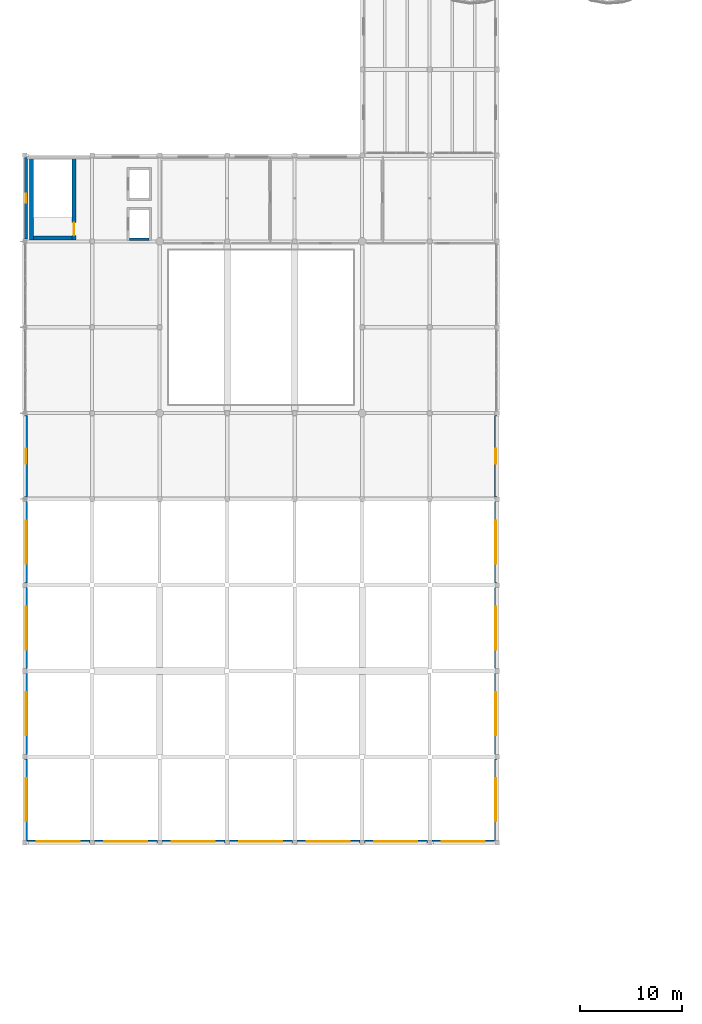
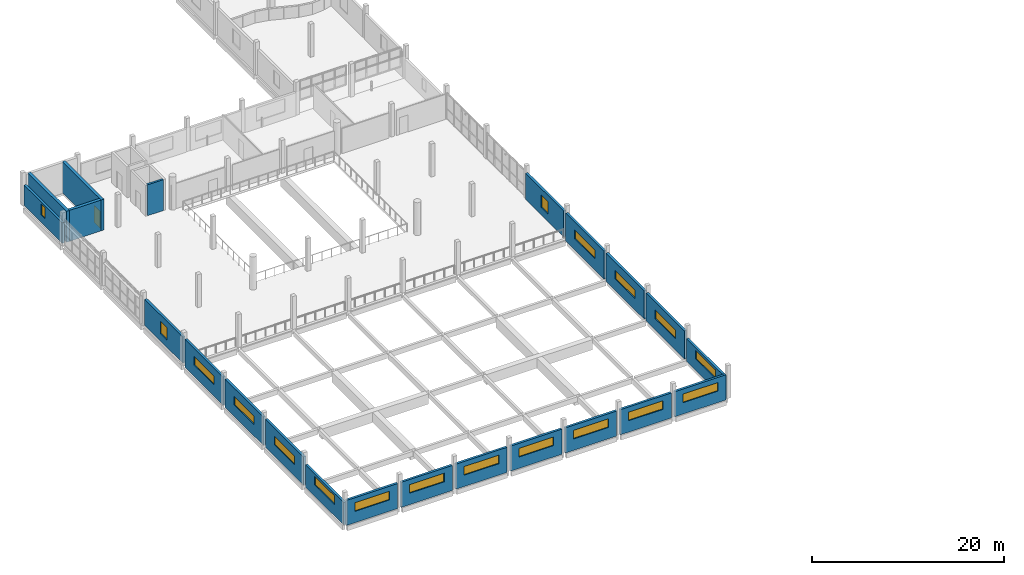
# One storey, part 47 of 74: 22 walls, 18 windows, 1 door, 19 openings.
"""IFC4 building model written with IfcOpenShell, lengths in metres."""

from ifc_helpers import new_model, si_unit, direction, frame, frame_2d, origin, place, context, subcontext, project, spatial, rectangle, extrude, material, layer, layer_set, type_object, element, fill, save


model = new_model("IFC4")

# Units and contexts
model_context = context("Model", 3, precision=1e-05, world=origin(), true_north=direction((0.0, 1.0)))
body_context = subcontext(model_context, "Body", "Model", "MODEL_VIEW")
ifc_project = project(units=[si_unit("LENGTHUNIT", "METRE"), si_unit("AREAUNIT", "SQUARE_METRE"), si_unit("VOLUMEUNIT", "CUBIC_METRE"), si_unit("PLANEANGLEUNIT", "RADIAN"), si_unit("MASSUNIT", "GRAM", prefix="KILO")], contexts=[model_context])

# Site, building, storey
site_placement = place(None, origin())
site = spatial("IfcSite", under=ifc_project, at=site_placement, CompositionType="ELEMENT")
building_placement = place(site_placement, origin())
building = spatial("IfcBuilding", under=site, at=building_placement, Name="Qaldarim Faculty of Natural and Applied Sciences", CompositionType="ELEMENT")
storey_placement = place(building_placement, frame((0.0, 0.0, 14.39990234375)))
storey = spatial("IfcBuildingStorey", under=building, at=storey_placement, Name="L03", CompositionType="ELEMENT", Elevation=14.39990234375)

# Wall
ifc_material_1 = material(Name="Concrete C50/60", Category="concrete")
ifc_layer_1 = layer(ifc_material_1, 0.360107421875)
ifc_layer_set_1 = layer_set([ifc_layer_1], Name="Concrete C50/60")
wall_type_1 = type_object("IfcWallType", Name="CoreShearWall-360", PredefinedType="SHEAR", material=ifc_layer_set_1)
wall_1_placement = place(storey_placement, frame((0.669921875, 75.739990234375, 0.0), z_axis=(0.0, 0.0, 1.0), x_axis=(0.0, 1.0, 0.0)))
element("IfcWall", 1, at=wall_1_placement, inside=storey, type_object=wall_type_1, Name="Core stair ST-D2 west shear wall L03", PredefinedType="SHEAR", context=body_context, shape_type="SweptSolid", body=[
    extrude(rectangle(XDim=8.090087890625, YDim=0.360107421875, at=frame_2d((4.044921875, 0.0))), origin(), (0.0, 0.0, 1.0), 3.940185546875),
])

# Wall, opening, door
wall_2_placement = place(storey_placement, frame((4.830078125, 75.739990234375, 0.0), z_axis=(0.0, 0.0, 1.0), x_axis=(0.0, 1.0, 0.0)))
wall_2 = element("IfcWall", 2, at=wall_2_placement, inside=storey, type_object=wall_type_1, Name="Core stair ST-D2 east shear wall L03", PredefinedType="SHEAR", context=body_context, shape_type="SweptSolid", body=[
    extrude(rectangle(XDim=8.090087890625, YDim=0.360107421875, at=frame_2d((4.044921875, 0.0))), origin(), (0.0, 0.0, 1.0), 3.940185546875),
])
opening_1_placement = place(wall_2_placement, frame((0.449951171875, 0.0, 0.0)))
opening_1 = element("IfcOpeningElement", 3, at=opening_1_placement, cuts=wall_2, Name="Opening ID04", PredefinedType="OPENING", context=body_context, shape_type="SweptSolid", body=[
    extrude(rectangle(XDim=1.25, YDim=2.14990234375, at=frame_2d((0.625, 1.074951171875))), frame((0.0, 0.18994140625, 0.0), z_axis=(0.0, -1.0, 0.0), x_axis=(1.0, 0.0, 0.0)), (0.0, 0.0, 1.0), 0.380126953125),
])
ifc_material_2 = material(Name="Architectural stainless steel 316", Category="steel")
door_type = type_object("IfcDoorType", Name="StairEnclosureFireDoor-1250x2150", OperationType="NOTDEFINED", PredefinedType="DOOR", material=ifc_material_2)
door_placement = place(opening_1_placement, origin())
door = element("IfcDoor", 4, at=door_placement, inside=storey, type_object=door_type, Name="Protected stair ST-D2 fire door D-L03-556", OperationType="SINGLE_SWING_LEFT", OverallHeight=2.14990234375, OverallWidth=1.25, PredefinedType="DOOR", context=body_context, shape_type="SweptSolid", body=[
    extrude(rectangle(XDim=1.25, YDim=2.14990234375, at=frame_2d((0.625, 1.074951171875))), frame((0.0, 0.02490234375, 0.0), z_axis=(0.0, -1.0, 0.0), x_axis=(1.0, 0.0, 0.0)), (0.0, 0.0, 1.0), 0.050048828125),
])
fill(opening_1, door)

# Wall
wall_3_placement = place(storey_placement, frame((0.85009765625, 75.919921875, 0.0), z_axis=(0.0, 0.0, 1.0), x_axis=(1.0, 0.0, 0.0)))
element("IfcWall", 5, at=wall_3_placement, inside=storey, type_object=wall_type_1, Name="Core stair ST-D2 south shear wall L03", PredefinedType="SHEAR", context=body_context, shape_type="SweptSolid", body=[
    extrude(rectangle(XDim=3.7998046875, YDim=0.360107421875, at=frame_2d((1.89990234375, 0.0))), origin(), (0.0, 0.0, 1.0), 3.940185546875),
])

# Wall, opening, window
ifc_material_3 = material(Name="Precast concrete C40/50", Category="concrete")
ifc_layer_2 = layer(ifc_material_3, 0.280029296875)
ifc_layer_set_2 = layer_set([ifc_layer_2], Name="Precast concrete C40/50")
wall_type_2 = type_object("IfcWallType", Name="ExteriorSpandrelWall-280", PredefinedType="SOLIDWALL", material=ifc_layer_set_2)
wall_4_placement = place(storey_placement, frame((0.139892578125, 58.580078125, 0.0), z_axis=(0.0, 0.0, 1.0), x_axis=(0.0, -1.0, 0.0)))
wall_4 = element("IfcWall", 6, at=wall_4_placement, inside=storey, type_object=wall_type_2, Name="Exterior wall EW02 L03 W X01Y07", PredefinedType="SOLIDWALL", context=body_context, shape_type="SweptSolid", body=[
    extrude(rectangle(XDim=7.9599609375, YDim=0.280029296875, at=frame_2d((3.97998046875, 0.0))), origin(), (0.0, 0.0, 1.0), 3.3251953125),
])
opening_2_placement = place(wall_4_placement, frame((3.2548828125, 0.0, 0.949951171875)))
opening_2 = element("IfcOpeningElement", 7, at=opening_2_placement, cuts=wall_4, Name="Opening WN32", PredefinedType="OPENING", context=body_context, shape_type="SweptSolid", body=[
    extrude(rectangle(XDim=1.449951171875, YDim=1.60009765625, at=frame_2d((0.72509765625, 0.800048828125))), frame((0.0, 0.14990234375, 0.0), z_axis=(0.0, -1.0, 0.0), x_axis=(1.0, 0.0, 0.0)), (0.0, 0.0, 1.0), 0.300048828125),
])
ifc_material_4 = material(Name="Insulated low-e double glazing", Category="glass")
window_type_1 = type_object("IfcWindowType", Name="SeminarWindow-1450x1600", PartitioningType="DOUBLE_PANEL_VERTICAL", PredefinedType="WINDOW", material=ifc_material_4)
window_1_placement = place(opening_2_placement, origin())
window_1 = element("IfcWindow", 8, at=window_1_placement, inside=storey, type_object=window_type_1, Name="Facade window WN32 L03 W X01Y07", OverallHeight=1.60009765625, OverallWidth=1.449951171875, PartitioningType="SINGLE_PANEL", PredefinedType="WINDOW", context=body_context, shape_type="SweptSolid", body=[
    extrude(rectangle(XDim=1.449951171875, YDim=1.60009765625, at=frame_2d((0.72509765625, 0.800048828125))), frame((0.0, 0.030029296875, 0.0), z_axis=(0.0, -1.0, 0.0), x_axis=(1.0, 0.0, 0.0)), (0.0, 0.0, 1.0), 0.06005859375),
])
fill(opening_2, window_1)

wall_5_placement = place(storey_placement, frame((0.139892578125, 83.780029296875, 0.0), z_axis=(0.0, 0.0, 1.0), x_axis=(0.0, -1.0, 0.0)))
wall_5 = element("IfcWall", 9, at=wall_5_placement, inside=storey, type_object=wall_type_2, Name="Exterior wall EW02 L03 W X01Y10", PredefinedType="SOLIDWALL", context=body_context, shape_type="SweptSolid", body=[
    extrude(rectangle(XDim=7.9599609375, YDim=0.280029296875, at=frame_2d((3.97998046875, 0.0))), origin(), (0.0, 0.0, 1.0), 2.60498046875),
])
opening_3_placement = place(wall_5_placement, frame((3.530029296875, 0.0, 0.949951171875)))
opening_3 = element("IfcOpeningElement", 10, at=opening_3_placement, cuts=wall_5, Name="Opening WN05", PredefinedType="OPENING", context=body_context, shape_type="SweptSolid", body=[
    extrude(rectangle(XDim=0.89990234375, YDim=1.39990234375, at=frame_2d((0.449951171875, 0.699951171875))), frame((0.0, 0.14990234375, 0.0), z_axis=(0.0, -1.0, 0.0), x_axis=(1.0, 0.0, 0.0)), (0.0, 0.0, 1.0), 0.300048828125),
])
window_type_2 = type_object("IfcWindowType", Name="Window-900x1400", PartitioningType="SINGLE_PANEL", PredefinedType="WINDOW", material=ifc_material_4)
window_2_placement = place(opening_3_placement, origin())
window_2 = element("IfcWindow", 11, at=window_2_placement, inside=storey, type_object=window_type_2, Name="Facade window WN17 L03 W X01Y10", OverallHeight=1.39990234375, OverallWidth=0.89990234375, PartitioningType="SINGLE_PANEL", PredefinedType="WINDOW", context=body_context, shape_type="SweptSolid", body=[
    extrude(rectangle(XDim=0.89990234375, YDim=1.39990234375, at=frame_2d((0.449951171875, 0.699951171875))), frame((0.0, 0.030029296875, 0.0), z_axis=(0.0, -1.0, 0.0), x_axis=(1.0, 0.0, 0.0)), (0.0, 0.0, 1.0), 0.06005859375),
])
fill(opening_3, window_2)

wall_6_placement = place(storey_placement, frame((46.06005859375, 50.6201171875, 0.0), z_axis=(0.0, 0.0, 1.0), x_axis=(0.0, 1.0, 0.0)))
wall_6 = element("IfcWall", 12, at=wall_6_placement, inside=storey, type_object=wall_type_2, Name="Exterior wall EW02 L03 E X07Y07", PredefinedType="SOLIDWALL", context=body_context, shape_type="SweptSolid", body=[
    extrude(rectangle(XDim=7.9599609375, YDim=0.280029296875, at=frame_2d((3.97998046875, 0.0))), origin(), (0.0, 0.0, 1.0), 3.3251953125),
])
opening_4_placement = place(wall_6_placement, frame((3.2548828125, 0.0, 0.949951171875)))
opening_4 = element("IfcOpeningElement", 13, at=opening_4_placement, cuts=wall_6, Name="Opening WN32", PredefinedType="OPENING", context=body_context, shape_type="SweptSolid", body=[
    extrude(rectangle(XDim=1.449951171875, YDim=1.60009765625, at=frame_2d((0.72509765625, 0.800048828125))), frame((0.0, 0.14990234375, 0.0), z_axis=(0.0, -1.0, 0.0), x_axis=(1.0, 0.0, 0.0)), (0.0, 0.0, 1.0), 0.300048828125),
])
window_3_placement = place(opening_4_placement, origin())
window_3 = element("IfcWindow", 14, at=window_3_placement, inside=storey, type_object=window_type_1, Name="Facade window WN32 L03 E X07Y07", OverallHeight=1.60009765625, OverallWidth=1.449951171875, PartitioningType="SINGLE_PANEL", PredefinedType="WINDOW", context=body_context, shape_type="SweptSolid", body=[
    extrude(rectangle(XDim=1.449951171875, YDim=1.60009765625, at=frame_2d((0.72509765625, 0.800048828125))), frame((0.0, 0.030029296875, 0.0), z_axis=(0.0, -1.0, 0.0), x_axis=(1.0, 0.0, 0.0)), (0.0, 0.0, 1.0), 0.06005859375),
])
fill(opening_4, window_3)

wall_7_placement = place(storey_placement, frame((0.2451171875, 16.93994140625, -0.260009765625), z_axis=(0.0, 0.0, 1.0), x_axis=(1.0, 0.0, 0.0)))
wall_7 = element("IfcWall", 15, at=wall_7_placement, inside=storey, type_object=wall_type_2, Name="Lecture hall L03 south clerestory wall X01Y03", PredefinedType="SOLIDWALL", context=body_context, shape_type="SweptSolid", body=[
    extrude(rectangle(XDim=6.134765625, YDim=0.280029296875, at=frame_2d((3.0673828125, 0.0))), origin(), (0.0, 0.0, 1.0), 3.195068359375),
])
opening_5_placement = place(wall_7_placement, frame((0.965087890625, 0.0, 1.449951171875)))
opening_5 = element("IfcOpeningElement", 16, at=opening_5_placement, cuts=wall_7, Name="Opening WN08", PredefinedType="OPENING", context=body_context, shape_type="SweptSolid", body=[
    extrude(rectangle(XDim=4.199951171875, YDim=1.10009765625, at=frame_2d((2.10009765625, 0.550048828125))), frame((0.0, 0.14990234375, 0.0), z_axis=(0.0, -1.0, 0.0), x_axis=(1.0, 0.0, 0.0)), (0.0, 0.0, 1.0), 0.300048828125),
])
window_type_3 = type_object("IfcWindowType", Name="ClerestoryWindow-4200x1100", PartitioningType="TRIPLE_PANEL_HORIZONTAL", PredefinedType="WINDOW", material=ifc_material_4)
window_4_placement = place(opening_5_placement, origin())
window_4 = element("IfcWindow", 17, at=window_4_placement, inside=storey, type_object=window_type_3, Name="Lecture hall L03 south clerestory window X01Y03", OverallHeight=1.10009765625, OverallWidth=4.199951171875, PartitioningType="SINGLE_PANEL", PredefinedType="WINDOW", context=body_context, shape_type="SweptSolid", body=[
    extrude(rectangle(XDim=4.199951171875, YDim=1.10009765625, at=frame_2d((2.10009765625, 0.550048828125))), frame((0.0, 0.030029296875, 0.0), z_axis=(0.0, -1.0, 0.0), x_axis=(1.0, 0.0, 0.0)), (0.0, 0.0, 1.0), 0.06005859375),
])
fill(opening_5, window_4)

wall_8_placement = place(storey_placement, frame((6.820068359375, 16.93994140625, -0.260009765625), z_axis=(0.0, 0.0, 1.0), x_axis=(1.0, 0.0, 0.0)))
wall_8 = element("IfcWall", 18, at=wall_8_placement, inside=storey, type_object=wall_type_2, Name="Lecture hall L03 south clerestory wall X02Y03", PredefinedType="SOLIDWALL", context=body_context, shape_type="SweptSolid", body=[
    extrude(rectangle(XDim=6.159912109375, YDim=0.280029296875, at=frame_2d((3.080078125, 0.0))), origin(), (0.0, 0.0, 1.0), 3.195068359375),
])
opening_6_placement = place(wall_8_placement, frame((0.97998046875, 0.0, 1.449951171875)))
opening_6 = element("IfcOpeningElement", 19, at=opening_6_placement, cuts=wall_8, Name="Opening WN08", PredefinedType="OPENING", context=body_context, shape_type="SweptSolid", body=[
    extrude(rectangle(XDim=4.199951171875, YDim=1.10009765625, at=frame_2d((2.10009765625, 0.550048828125))), frame((0.0, 0.14990234375, 0.0), z_axis=(0.0, -1.0, 0.0), x_axis=(1.0, 0.0, 0.0)), (0.0, 0.0, 1.0), 0.300048828125),
])
window_5_placement = place(opening_6_placement, origin())
window_5 = element("IfcWindow", 20, at=window_5_placement, inside=storey, type_object=window_type_3, Name="Lecture hall L03 south clerestory window X02Y03", OverallHeight=1.10009765625, OverallWidth=4.199951171875, PartitioningType="SINGLE_PANEL", PredefinedType="WINDOW", context=body_context, shape_type="SweptSolid", body=[
    extrude(rectangle(XDim=4.199951171875, YDim=1.10009765625, at=frame_2d((2.10009765625, 0.550048828125))), frame((0.0, 0.030029296875, 0.0), z_axis=(0.0, -1.0, 0.0), x_axis=(1.0, 0.0, 0.0)), (0.0, 0.0, 1.0), 0.06005859375),
])
fill(opening_6, window_5)

wall_9_placement = place(storey_placement, frame((13.419921875, 16.93994140625, -0.260009765625), z_axis=(0.0, 0.0, 1.0), x_axis=(1.0, 0.0, 0.0)))
wall_9 = element("IfcWall", 21, at=wall_9_placement, inside=storey, type_object=wall_type_2, Name="Lecture hall L03 south clerestory wall X03Y03", PredefinedType="SOLIDWALL", context=body_context, shape_type="SweptSolid", body=[
    extrude(rectangle(XDim=6.16015625, YDim=0.280029296875, at=frame_2d((3.080078125, 0.0))), origin(), (0.0, 0.0, 1.0), 3.195068359375),
])
opening_7_placement = place(wall_9_placement, frame((0.97998046875, 0.0, 1.449951171875)))
opening_7 = element("IfcOpeningElement", 22, at=opening_7_placement, cuts=wall_9, Name="Opening WN08", PredefinedType="OPENING", context=body_context, shape_type="SweptSolid", body=[
    extrude(rectangle(XDim=4.199951171875, YDim=1.10009765625, at=frame_2d((2.10009765625, 0.550048828125))), frame((0.0, 0.14990234375, 0.0), z_axis=(0.0, -1.0, 0.0), x_axis=(1.0, 0.0, 0.0)), (0.0, 0.0, 1.0), 0.300048828125),
])
window_6_placement = place(opening_7_placement, origin())
window_6 = element("IfcWindow", 23, at=window_6_placement, inside=storey, type_object=window_type_3, Name="Lecture hall L03 south clerestory window X03Y03", OverallHeight=1.10009765625, OverallWidth=4.199951171875, PartitioningType="SINGLE_PANEL", PredefinedType="WINDOW", context=body_context, shape_type="SweptSolid", body=[
    extrude(rectangle(XDim=4.199951171875, YDim=1.10009765625, at=frame_2d((2.10009765625, 0.550048828125))), frame((0.0, 0.030029296875, 0.0), z_axis=(0.0, -1.0, 0.0), x_axis=(1.0, 0.0, 0.0)), (0.0, 0.0, 1.0), 0.06005859375),
])
fill(opening_7, window_6)

wall_10_placement = place(storey_placement, frame((20.02001953125, 16.93994140625, -0.260009765625), z_axis=(0.0, 0.0, 1.0), x_axis=(1.0, 0.0, 0.0)))
wall_10 = element("IfcWall", 24, at=wall_10_placement, inside=storey, type_object=wall_type_2, Name="Lecture hall L03 south clerestory wall X04Y03", PredefinedType="SOLIDWALL", context=body_context, shape_type="SweptSolid", body=[
    extrude(rectangle(XDim=6.159912109375, YDim=0.280029296875, at=frame_2d((3.080078125, 0.0))), origin(), (0.0, 0.0, 1.0), 3.195068359375),
])
opening_8_placement = place(wall_10_placement, frame((0.97998046875, 0.0, 1.449951171875)))
opening_8 = element("IfcOpeningElement", 25, at=opening_8_placement, cuts=wall_10, Name="Opening WN08", PredefinedType="OPENING", context=body_context, shape_type="SweptSolid", body=[
    extrude(rectangle(XDim=4.199951171875, YDim=1.10009765625, at=frame_2d((2.10009765625, 0.550048828125))), frame((0.0, 0.14990234375, 0.0), z_axis=(0.0, -1.0, 0.0), x_axis=(1.0, 0.0, 0.0)), (0.0, 0.0, 1.0), 0.300048828125),
])
window_7_placement = place(opening_8_placement, origin())
window_7 = element("IfcWindow", 26, at=window_7_placement, inside=storey, type_object=window_type_3, Name="Lecture hall L03 south clerestory window X04Y03", OverallHeight=1.10009765625, OverallWidth=4.199951171875, PartitioningType="SINGLE_PANEL", PredefinedType="WINDOW", context=body_context, shape_type="SweptSolid", body=[
    extrude(rectangle(XDim=4.199951171875, YDim=1.10009765625, at=frame_2d((2.10009765625, 0.550048828125))), frame((0.0, 0.030029296875, 0.0), z_axis=(0.0, -1.0, 0.0), x_axis=(1.0, 0.0, 0.0)), (0.0, 0.0, 1.0), 0.06005859375),
])
fill(opening_8, window_7)

wall_11_placement = place(storey_placement, frame((26.6201171875, 16.93994140625, -0.260009765625), z_axis=(0.0, 0.0, 1.0), x_axis=(1.0, 0.0, 0.0)))
wall_11 = element("IfcWall", 27, at=wall_11_placement, inside=storey, type_object=wall_type_2, Name="Lecture hall L03 south clerestory wall X05Y03", PredefinedType="SOLIDWALL", context=body_context, shape_type="SweptSolid", body=[
    extrude(rectangle(XDim=6.159912109375, YDim=0.280029296875, at=frame_2d((3.080078125, 0.0))), origin(), (0.0, 0.0, 1.0), 3.195068359375),
])
opening_9_placement = place(wall_11_placement, frame((0.97998046875, 0.0, 1.449951171875)))
opening_9 = element("IfcOpeningElement", 28, at=opening_9_placement, cuts=wall_11, Name="Opening WN08", PredefinedType="OPENING", context=body_context, shape_type="SweptSolid", body=[
    extrude(rectangle(XDim=4.199951171875, YDim=1.10009765625, at=frame_2d((2.10009765625, 0.550048828125))), frame((0.0, 0.14990234375, 0.0), z_axis=(0.0, -1.0, 0.0), x_axis=(1.0, 0.0, 0.0)), (0.0, 0.0, 1.0), 0.300048828125),
])
window_8_placement = place(opening_9_placement, origin())
window_8 = element("IfcWindow", 29, at=window_8_placement, inside=storey, type_object=window_type_3, Name="Lecture hall L03 south clerestory window X05Y03", OverallHeight=1.10009765625, OverallWidth=4.199951171875, PartitioningType="SINGLE_PANEL", PredefinedType="WINDOW", context=body_context, shape_type="SweptSolid", body=[
    extrude(rectangle(XDim=4.199951171875, YDim=1.10009765625, at=frame_2d((2.10009765625, 0.550048828125))), frame((0.0, 0.030029296875, 0.0), z_axis=(0.0, -1.0, 0.0), x_axis=(1.0, 0.0, 0.0)), (0.0, 0.0, 1.0), 0.06005859375),
])
fill(opening_9, window_8)

wall_12_placement = place(storey_placement, frame((33.219970703125, 16.93994140625, -0.260009765625), z_axis=(0.0, 0.0, 1.0), x_axis=(1.0, 0.0, 0.0)))
wall_12 = element("IfcWall", 30, at=wall_12_placement, inside=storey, type_object=wall_type_2, Name="Lecture hall L03 south clerestory wall X06Y03", PredefinedType="SOLIDWALL", context=body_context, shape_type="SweptSolid", body=[
    extrude(rectangle(XDim=6.159912109375, YDim=0.280029296875, at=frame_2d((3.080078125, 0.0))), origin(), (0.0, 0.0, 1.0), 3.195068359375),
])
opening_10_placement = place(wall_12_placement, frame((0.97998046875, 0.0, 1.449951171875)))
opening_10 = element("IfcOpeningElement", 31, at=opening_10_placement, cuts=wall_12, Name="Opening WN08", PredefinedType="OPENING", context=body_context, shape_type="SweptSolid", body=[
    extrude(rectangle(XDim=4.199951171875, YDim=1.10009765625, at=frame_2d((2.10009765625, 0.550048828125))), frame((0.0, 0.14990234375, 0.0), z_axis=(0.0, -1.0, 0.0), x_axis=(1.0, 0.0, 0.0)), (0.0, 0.0, 1.0), 0.300048828125),
])
window_9_placement = place(opening_10_placement, origin())
window_9 = element("IfcWindow", 32, at=window_9_placement, inside=storey, type_object=window_type_3, Name="Lecture hall L03 south clerestory window X06Y03", OverallHeight=1.10009765625, OverallWidth=4.199951171875, PartitioningType="SINGLE_PANEL", PredefinedType="WINDOW", context=body_context, shape_type="SweptSolid", body=[
    extrude(rectangle(XDim=4.199951171875, YDim=1.10009765625, at=frame_2d((2.10009765625, 0.550048828125))), frame((0.0, 0.030029296875, 0.0), z_axis=(0.0, -1.0, 0.0), x_axis=(1.0, 0.0, 0.0)), (0.0, 0.0, 1.0), 0.06005859375),
])
fill(opening_10, window_9)

wall_13_placement = place(storey_placement, frame((39.820068359375, 16.93994140625, -0.260009765625), z_axis=(0.0, 0.0, 1.0), x_axis=(1.0, 0.0, 0.0)))
wall_13 = element("IfcWall", 33, at=wall_13_placement, inside=storey, type_object=wall_type_2, Name="Lecture hall L03 south clerestory wall X07Y03", PredefinedType="SOLIDWALL", context=body_context, shape_type="SweptSolid", body=[
    extrude(rectangle(XDim=6.135009765625, YDim=0.280029296875, at=frame_2d((3.0673828125, 0.0))), origin(), (0.0, 0.0, 1.0), 3.195068359375),
])
opening_11_placement = place(wall_13_placement, frame((0.965087890625, 0.0, 1.449951171875)))
opening_11 = element("IfcOpeningElement", 34, at=opening_11_placement, cuts=wall_13, Name="Opening WN08", PredefinedType="OPENING", context=body_context, shape_type="SweptSolid", body=[
    extrude(rectangle(XDim=4.199951171875, YDim=1.10009765625, at=frame_2d((2.10009765625, 0.550048828125))), frame((0.0, 0.14990234375, 0.0), z_axis=(0.0, -1.0, 0.0), x_axis=(1.0, 0.0, 0.0)), (0.0, 0.0, 1.0), 0.300048828125),
])
window_10_placement = place(opening_11_placement, origin())
window_10 = element("IfcWindow", 35, at=window_10_placement, inside=storey, type_object=window_type_3, Name="Lecture hall L03 south clerestory window X07Y03", OverallHeight=1.10009765625, OverallWidth=4.199951171875, PartitioningType="SINGLE_PANEL", PredefinedType="WINDOW", context=body_context, shape_type="SweptSolid", body=[
    extrude(rectangle(XDim=4.199951171875, YDim=1.10009765625, at=frame_2d((2.10009765625, 0.550048828125))), frame((0.0, 0.030029296875, 0.0), z_axis=(0.0, -1.0, 0.0), x_axis=(1.0, 0.0, 0.0)), (0.0, 0.0, 1.0), 0.06005859375),
])
fill(opening_11, window_10)

wall_14_placement = place(storey_placement, frame((0.139892578125, 24.97998046875, -0.260009765625), z_axis=(0.0, 0.0, 1.0), x_axis=(0.0, -1.0, 0.0)))
wall_14 = element("IfcWall", 36, at=wall_14_placement, inside=storey, type_object=wall_type_2, Name="Lecture hall L03 W clerestory wall Y03", PredefinedType="SOLIDWALL", context=body_context, shape_type="SweptSolid", body=[
    extrude(rectangle(XDim=7.9599609375, YDim=0.280029296875, at=frame_2d((3.97998046875, 0.0))), origin(), (0.0, 0.0, 1.0), 2.864990234375),
])
opening_12_placement = place(wall_14_placement, frame((1.8798828125, 0.0, 1.449951171875)))
opening_12 = element("IfcOpeningElement", 37, at=opening_12_placement, cuts=wall_14, Name="Opening WN08", PredefinedType="OPENING", context=body_context, shape_type="SweptSolid", body=[
    extrude(rectangle(XDim=4.199951171875, YDim=1.10009765625, at=frame_2d((2.10009765625, 0.550048828125))), frame((0.0, 0.14990234375, 0.0), z_axis=(0.0, -1.0, 0.0), x_axis=(1.0, 0.0, 0.0)), (0.0, 0.0, 1.0), 0.300048828125),
])
window_11_placement = place(opening_12_placement, origin())
window_11 = element("IfcWindow", 38, at=window_11_placement, inside=storey, type_object=window_type_3, Name="Lecture hall L03 W clerestory window Y03", OverallHeight=1.10009765625, OverallWidth=4.199951171875, PartitioningType="SINGLE_PANEL", PredefinedType="WINDOW", context=body_context, shape_type="SweptSolid", body=[
    extrude(rectangle(XDim=4.199951171875, YDim=1.10009765625, at=frame_2d((2.10009765625, 0.550048828125))), frame((0.0, 0.030029296875, 0.0), z_axis=(0.0, -1.0, 0.0), x_axis=(1.0, 0.0, 0.0)), (0.0, 0.0, 1.0), 0.06005859375),
])
fill(opening_12, window_11)

wall_15_placement = place(storey_placement, frame((0.139892578125, 33.3798828125, -0.260009765625), z_axis=(0.0, 0.0, 1.0), x_axis=(0.0, -1.0, 0.0)))
wall_15 = element("IfcWall", 39, at=wall_15_placement, inside=storey, type_object=wall_type_2, Name="Lecture hall L03 W clerestory wall Y04", PredefinedType="SOLIDWALL", context=body_context, shape_type="SweptSolid", body=[
    extrude(rectangle(XDim=7.9599609375, YDim=0.280029296875, at=frame_2d((3.97998046875, 0.0))), origin(), (0.0, 0.0, 1.0), 3.585205078125),
])
opening_13_placement = place(wall_15_placement, frame((1.8798828125, 0.0, 1.449951171875)))
opening_13 = element("IfcOpeningElement", 40, at=opening_13_placement, cuts=wall_15, Name="Opening WN08", PredefinedType="OPENING", context=body_context, shape_type="SweptSolid", body=[
    extrude(rectangle(XDim=4.199951171875, YDim=1.10009765625, at=frame_2d((2.10009765625, 0.550048828125))), frame((0.0, 0.14990234375, 0.0), z_axis=(0.0, -1.0, 0.0), x_axis=(1.0, 0.0, 0.0)), (0.0, 0.0, 1.0), 0.300048828125),
])
window_12_placement = place(opening_13_placement, origin())
window_12 = element("IfcWindow", 41, at=window_12_placement, inside=storey, type_object=window_type_3, Name="Lecture hall L03 W clerestory window Y04", OverallHeight=1.10009765625, OverallWidth=4.199951171875, PartitioningType="SINGLE_PANEL", PredefinedType="WINDOW", context=body_context, shape_type="SweptSolid", body=[
    extrude(rectangle(XDim=4.199951171875, YDim=1.10009765625, at=frame_2d((2.10009765625, 0.550048828125))), frame((0.0, 0.030029296875, 0.0), z_axis=(0.0, -1.0, 0.0), x_axis=(1.0, 0.0, 0.0)), (0.0, 0.0, 1.0), 0.06005859375),
])
fill(opening_13, window_12)

wall_16_placement = place(storey_placement, frame((0.139892578125, 41.780029296875, -0.260009765625), z_axis=(0.0, 0.0, 1.0), x_axis=(0.0, -1.0, 0.0)))
wall_16 = element("IfcWall", 42, at=wall_16_placement, inside=storey, type_object=wall_type_2, Name="Lecture hall L03 W clerestory wall Y05", PredefinedType="SOLIDWALL", context=body_context, shape_type="SweptSolid", body=[
    extrude(rectangle(XDim=7.9599609375, YDim=0.280029296875, at=frame_2d((3.97998046875, 0.0))), origin(), (0.0, 0.0, 1.0), 3.585205078125),
])
opening_14_placement = place(wall_16_placement, frame((1.8798828125, 0.0, 1.449951171875)))
opening_14 = element("IfcOpeningElement", 43, at=opening_14_placement, cuts=wall_16, Name="Opening WN08", PredefinedType="OPENING", context=body_context, shape_type="SweptSolid", body=[
    extrude(rectangle(XDim=4.199951171875, YDim=1.10009765625, at=frame_2d((2.10009765625, 0.550048828125))), frame((0.0, 0.14990234375, 0.0), z_axis=(0.0, -1.0, 0.0), x_axis=(1.0, 0.0, 0.0)), (0.0, 0.0, 1.0), 0.300048828125),
])
window_13_placement = place(opening_14_placement, origin())
window_13 = element("IfcWindow", 44, at=window_13_placement, inside=storey, type_object=window_type_3, Name="Lecture hall L03 W clerestory window Y05", OverallHeight=1.10009765625, OverallWidth=4.199951171875, PartitioningType="SINGLE_PANEL", PredefinedType="WINDOW", context=body_context, shape_type="SweptSolid", body=[
    extrude(rectangle(XDim=4.199951171875, YDim=1.10009765625, at=frame_2d((2.10009765625, 0.550048828125))), frame((0.0, 0.030029296875, 0.0), z_axis=(0.0, -1.0, 0.0), x_axis=(1.0, 0.0, 0.0)), (0.0, 0.0, 1.0), 0.06005859375),
])
fill(opening_14, window_13)

wall_17_placement = place(storey_placement, frame((0.139892578125, 50.179931640625, -0.260009765625), z_axis=(0.0, 0.0, 1.0), x_axis=(0.0, -1.0, 0.0)))
wall_17 = element("IfcWall", 45, at=wall_17_placement, inside=storey, type_object=wall_type_2, Name="Lecture hall L03 W clerestory wall Y06", PredefinedType="SOLIDWALL", context=body_context, shape_type="SweptSolid", body=[
    extrude(rectangle(XDim=7.9599609375, YDim=0.280029296875, at=frame_2d((3.97998046875, 0.0))), origin(), (0.0, 0.0, 1.0), 3.585205078125),
])
opening_15_placement = place(wall_17_placement, frame((1.8798828125, 0.0, 1.449951171875)))
opening_15 = element("IfcOpeningElement", 46, at=opening_15_placement, cuts=wall_17, Name="Opening WN08", PredefinedType="OPENING", context=body_context, shape_type="SweptSolid", body=[
    extrude(rectangle(XDim=4.199951171875, YDim=1.10009765625, at=frame_2d((2.10009765625, 0.550048828125))), frame((0.0, 0.14990234375, 0.0), z_axis=(0.0, -1.0, 0.0), x_axis=(1.0, 0.0, 0.0)), (0.0, 0.0, 1.0), 0.300048828125),
])
window_14_placement = place(opening_15_placement, origin())
window_14 = element("IfcWindow", 47, at=window_14_placement, inside=storey, type_object=window_type_3, Name="Lecture hall L03 W clerestory window Y06", OverallHeight=1.10009765625, OverallWidth=4.199951171875, PartitioningType="SINGLE_PANEL", PredefinedType="WINDOW", context=body_context, shape_type="SweptSolid", body=[
    extrude(rectangle(XDim=4.199951171875, YDim=1.10009765625, at=frame_2d((2.10009765625, 0.550048828125))), frame((0.0, 0.030029296875, 0.0), z_axis=(0.0, -1.0, 0.0), x_axis=(1.0, 0.0, 0.0)), (0.0, 0.0, 1.0), 0.06005859375),
])
fill(opening_15, window_14)

wall_18_placement = place(storey_placement, frame((46.06005859375, 17.02001953125, -0.260009765625), z_axis=(0.0, 0.0, 1.0), x_axis=(0.0, 1.0, 0.0)))
wall_18 = element("IfcWall", 48, at=wall_18_placement, inside=storey, type_object=wall_type_2, Name="Lecture hall L03 E clerestory wall Y03", PredefinedType="SOLIDWALL", context=body_context, shape_type="SweptSolid", body=[
    extrude(rectangle(XDim=7.9599609375, YDim=0.280029296875, at=frame_2d((3.97998046875, 0.0))), origin(), (0.0, 0.0, 1.0), 2.864990234375),
])
opening_16_placement = place(wall_18_placement, frame((1.8798828125, 0.0, 1.449951171875)))
opening_16 = element("IfcOpeningElement", 49, at=opening_16_placement, cuts=wall_18, Name="Opening WN08", PredefinedType="OPENING", context=body_context, shape_type="SweptSolid", body=[
    extrude(rectangle(XDim=4.199951171875, YDim=1.10009765625, at=frame_2d((2.10009765625, 0.550048828125))), frame((0.0, 0.14990234375, 0.0), z_axis=(0.0, -1.0, 0.0), x_axis=(1.0, 0.0, 0.0)), (0.0, 0.0, 1.0), 0.300048828125),
])
window_15_placement = place(opening_16_placement, origin())
window_15 = element("IfcWindow", 50, at=window_15_placement, inside=storey, type_object=window_type_3, Name="Lecture hall L03 E clerestory window Y03", OverallHeight=1.10009765625, OverallWidth=4.199951171875, PartitioningType="SINGLE_PANEL", PredefinedType="WINDOW", context=body_context, shape_type="SweptSolid", body=[
    extrude(rectangle(XDim=4.199951171875, YDim=1.10009765625, at=frame_2d((2.10009765625, 0.550048828125))), frame((0.0, 0.030029296875, 0.0), z_axis=(0.0, -1.0, 0.0), x_axis=(1.0, 0.0, 0.0)), (0.0, 0.0, 1.0), 0.06005859375),
])
fill(opening_16, window_15)

wall_19_placement = place(storey_placement, frame((46.06005859375, 25.419921875, -0.260009765625), z_axis=(0.0, 0.0, 1.0), x_axis=(0.0, 1.0, 0.0)))
wall_19 = element("IfcWall", 51, at=wall_19_placement, inside=storey, type_object=wall_type_2, Name="Lecture hall L03 E clerestory wall Y04", PredefinedType="SOLIDWALL", context=body_context, shape_type="SweptSolid", body=[
    extrude(rectangle(XDim=7.9599609375, YDim=0.280029296875, at=frame_2d((3.97998046875, 0.0))), origin(), (0.0, 0.0, 1.0), 3.585205078125),
])
opening_17_placement = place(wall_19_placement, frame((1.8798828125, 0.0, 1.449951171875)))
opening_17 = element("IfcOpeningElement", 52, at=opening_17_placement, cuts=wall_19, Name="Opening WN08", PredefinedType="OPENING", context=body_context, shape_type="SweptSolid", body=[
    extrude(rectangle(XDim=4.199951171875, YDim=1.10009765625, at=frame_2d((2.10009765625, 0.550048828125))), frame((0.0, 0.14990234375, 0.0), z_axis=(0.0, -1.0, 0.0), x_axis=(1.0, 0.0, 0.0)), (0.0, 0.0, 1.0), 0.300048828125),
])
window_16_placement = place(opening_17_placement, origin())
window_16 = element("IfcWindow", 53, at=window_16_placement, inside=storey, type_object=window_type_3, Name="Lecture hall L03 E clerestory window Y04", OverallHeight=1.10009765625, OverallWidth=4.199951171875, PartitioningType="SINGLE_PANEL", PredefinedType="WINDOW", context=body_context, shape_type="SweptSolid", body=[
    extrude(rectangle(XDim=4.199951171875, YDim=1.10009765625, at=frame_2d((2.10009765625, 0.550048828125))), frame((0.0, 0.030029296875, 0.0), z_axis=(0.0, -1.0, 0.0), x_axis=(1.0, 0.0, 0.0)), (0.0, 0.0, 1.0), 0.06005859375),
])
fill(opening_17, window_16)

wall_20_placement = place(storey_placement, frame((46.06005859375, 33.820068359375, -0.260009765625), z_axis=(0.0, 0.0, 1.0), x_axis=(0.0, 1.0, 0.0)))
wall_20 = element("IfcWall", 54, at=wall_20_placement, inside=storey, type_object=wall_type_2, Name="Lecture hall L03 E clerestory wall Y05", PredefinedType="SOLIDWALL", context=body_context, shape_type="SweptSolid", body=[
    extrude(rectangle(XDim=7.9599609375, YDim=0.280029296875, at=frame_2d((3.97998046875, 0.0))), origin(), (0.0, 0.0, 1.0), 3.585205078125),
])
opening_18_placement = place(wall_20_placement, frame((1.8798828125, 0.0, 1.449951171875)))
opening_18 = element("IfcOpeningElement", 55, at=opening_18_placement, cuts=wall_20, Name="Opening WN08", PredefinedType="OPENING", context=body_context, shape_type="SweptSolid", body=[
    extrude(rectangle(XDim=4.199951171875, YDim=1.10009765625, at=frame_2d((2.10009765625, 0.550048828125))), frame((0.0, 0.14990234375, 0.0), z_axis=(0.0, -1.0, 0.0), x_axis=(1.0, 0.0, 0.0)), (0.0, 0.0, 1.0), 0.300048828125),
])
window_17_placement = place(opening_18_placement, origin())
window_17 = element("IfcWindow", 56, at=window_17_placement, inside=storey, type_object=window_type_3, Name="Lecture hall L03 E clerestory window Y05", OverallHeight=1.10009765625, OverallWidth=4.199951171875, PartitioningType="SINGLE_PANEL", PredefinedType="WINDOW", context=body_context, shape_type="SweptSolid", body=[
    extrude(rectangle(XDim=4.199951171875, YDim=1.10009765625, at=frame_2d((2.10009765625, 0.550048828125))), frame((0.0, 0.030029296875, 0.0), z_axis=(0.0, -1.0, 0.0), x_axis=(1.0, 0.0, 0.0)), (0.0, 0.0, 1.0), 0.06005859375),
])
fill(opening_18, window_17)

wall_21_placement = place(storey_placement, frame((46.06005859375, 42.219970703125, -0.260009765625), z_axis=(0.0, 0.0, 1.0), x_axis=(0.0, 1.0, 0.0)))
wall_21 = element("IfcWall", 57, at=wall_21_placement, inside=storey, type_object=wall_type_2, Name="Lecture hall L03 E clerestory wall Y06", PredefinedType="SOLIDWALL", context=body_context, shape_type="SweptSolid", body=[
    extrude(rectangle(XDim=7.9599609375, YDim=0.280029296875, at=frame_2d((3.97998046875, 0.0))), origin(), (0.0, 0.0, 1.0), 3.585205078125),
])
opening_19_placement = place(wall_21_placement, frame((1.8798828125, 0.0, 1.449951171875)))
opening_19 = element("IfcOpeningElement", 58, at=opening_19_placement, cuts=wall_21, Name="Opening WN08", PredefinedType="OPENING", context=body_context, shape_type="SweptSolid", body=[
    extrude(rectangle(XDim=4.199951171875, YDim=1.10009765625, at=frame_2d((2.10009765625, 0.550048828125))), frame((0.0, 0.14990234375, 0.0), z_axis=(0.0, -1.0, 0.0), x_axis=(1.0, 0.0, 0.0)), (0.0, 0.0, 1.0), 0.300048828125),
])
window_18_placement = place(opening_19_placement, origin())
window_18 = element("IfcWindow", 59, at=window_18_placement, inside=storey, type_object=window_type_3, Name="Lecture hall L03 E clerestory window Y06", OverallHeight=1.10009765625, OverallWidth=4.199951171875, PartitioningType="SINGLE_PANEL", PredefinedType="WINDOW", context=body_context, shape_type="SweptSolid", body=[
    extrude(rectangle(XDim=4.199951171875, YDim=1.10009765625, at=frame_2d((2.10009765625, 0.550048828125))), frame((0.0, 0.030029296875, 0.0), z_axis=(0.0, -1.0, 0.0), x_axis=(1.0, 0.0, 0.0)), (0.0, 0.0, 1.0), 0.06005859375),
])
fill(opening_19, window_18)

# Wall
ifc_material_5 = material(Name="Concrete C40/50", Category="concrete")
ifc_layer_3 = layer(ifc_material_5, 0.25)
ifc_layer_set_3 = layer_set([ifc_layer_3], Name="Concrete C40/50")
wall_type_3 = type_object("IfcWallType", Name="LiftShaftWall-250", PredefinedType="SHEAR", material=ifc_layer_set_3)
wall_22_placement = place(storey_placement, frame((10.25, 75.824951171875, 0.0), z_axis=(0.0, 0.0, 1.0), x_axis=(1.0, 0.0, 0.0)))
element("IfcWall", 60, at=wall_22_placement, inside=storey, type_object=wall_type_3, Name="Lift LF-D1 south shaft wall L03", PredefinedType="SHEAR", context=body_context, shape_type="SweptSolid", body=[
    extrude(rectangle(XDim=1.89990234375, YDim=0.25, at=frame_2d((0.949951171875, 0.0))), origin(), (0.0, 0.0, 1.0), 3.940185546875),
])

save(model, "model.ifc")
